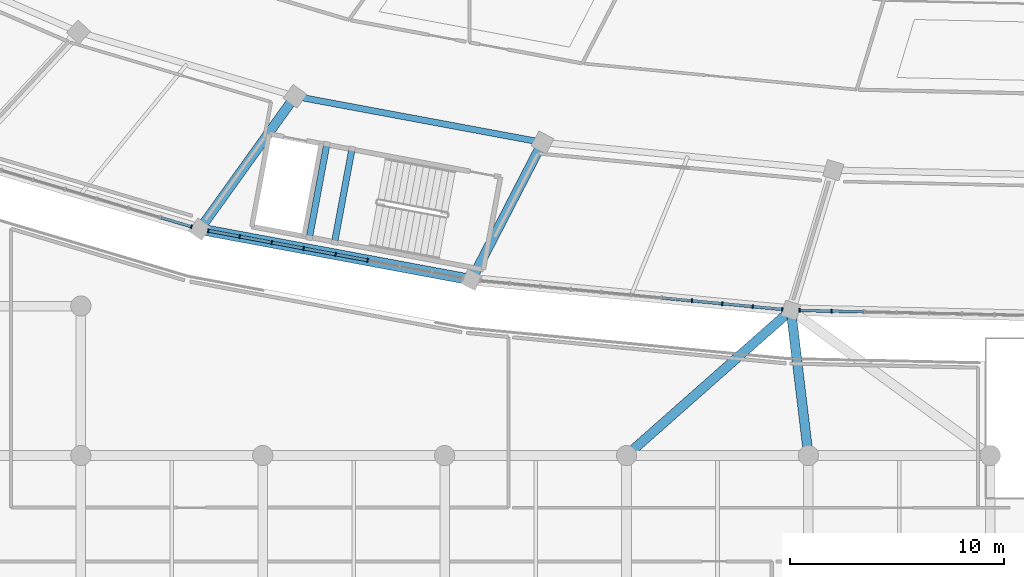
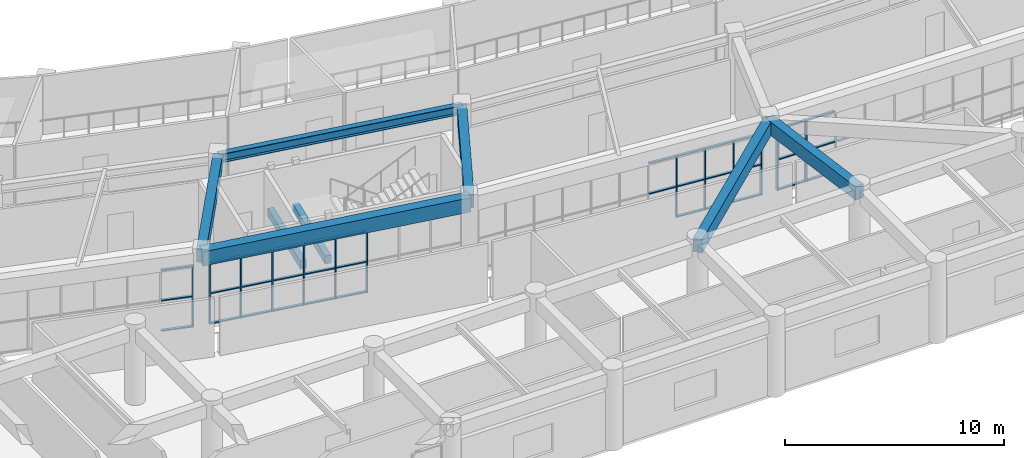
# One storey, part 22 of 141: 48 members, 8 beams, 4 elements without a shape of their own.
"""IFC4 building model written with IfcOpenShell, lengths in metres."""

from ifc_helpers import new_model, si_unit, direction, frame, origin, origin_2d, place, context, subcontext, project, spatial, rectangle, i_section, extrude, material, layer, layer_set, material_profile, profile_set, type_object, element, aggregate, save


model = new_model("IFC4")

# Units and contexts
model_context = context("Model", 3, precision=1e-05, world=origin(), true_north=direction((0.0, 1.0)))
body_context = subcontext(model_context, "Body", "Model", "MODEL_VIEW")
ifc_project = project(units=[si_unit("LENGTHUNIT", "METRE"), si_unit("AREAUNIT", "SQUARE_METRE"), si_unit("VOLUMEUNIT", "CUBIC_METRE"), si_unit("PLANEANGLEUNIT", "RADIAN"), si_unit("MASSUNIT", "GRAM", prefix="KILO")], contexts=[model_context])

# Site, building, storey
site_placement = place(None, origin())
site = spatial("IfcSite", under=ifc_project, at=site_placement, CompositionType="ELEMENT")
building_placement = place(site_placement, origin())
building = spatial("IfcBuilding", under=site, at=building_placement, Name="Mphavela Belvedere Stadium", CompositionType="ELEMENT")
storey_placement = place(building_placement, frame((0.0, 0.0, 14.699951171875)))
storey = spatial("IfcBuildingStorey", under=building, at=storey_placement, Name="L03", CompositionType="ELEMENT", Elevation=14.699951171875)

# Beams
ifc_material_1 = material(Name="Concrete C40/50", Category="concrete")
ifc_material_profile_1 = material_profile(ifc_material_1, rectangle(XDim=0.300048828125, YDim=0.449951171875, at=origin_2d()), Name="RC 300x450")
ifc_profile_set_1 = profile_set([ifc_material_profile_1], Name="Concrete C40/50")
beam_type_1 = type_object("IfcBeamType", Name="BM-RC300x450", PredefinedType="BEAM", material=ifc_profile_set_1)
for number, where, z_axis, x_axis, name in (
    (1, (72.329833984375, 21.36865234375, 1.824951171875), (-0.18307487535, -0.983098972645, 0.0), (0.983098972645, -0.18307487535, 0.0), "Core C11 landing trimmer beam L03-1"),
    (2, (71.150146484375, 21.58837890625, 1.824951171875), (-0.18307487535, -0.983098972645, 0.0), (0.983098972645, -0.18307487535, 0.0), "Core C11 landing trimmer beam L03-2"),
):
    element("IfcBeam", number, at=place(storey_placement, frame(where, z_axis=z_axis, x_axis=x_axis)), inside=storey, type_object=beam_type_1, Name=name, PredefinedType="BEAM", context=body_context, shape_type="SweptSolid", body=[
        extrude(rectangle(XDim=0.300048828125, YDim=0.449951171875, at=origin_2d()), origin(), (0.0, 0.0, 1.0), 4.469970703125),
    ])
ifc_material_2 = material(Name="Concrete C40/50", Category="concrete")
ifc_material_profile_2 = material_profile(ifc_material_2, rectangle(XDim=0.449951171875, YDim=0.75, at=origin_2d()), Name="RC 450x750")
ifc_profile_set_2 = profile_set([ifc_material_profile_2], Name="Concrete C40/50")
beam_type_2 = type_object("IfcBeamType", Name="BM-RC450x750", PredefinedType="BEAM", material=ifc_profile_set_2)
beam_1_placement = place(storey_placement, frame((69.662109375, 23.822509765625, 3.875), z_axis=(-0.583043812448, -0.812440713385, 0.0), x_axis=(0.812440713385, -0.583043812448, 0.0)))
element("IfcBeam", 3, at=beam_1_placement, inside=storey, type_object=beam_type_2, Name="Radial concourse girder L03 R3R4-34", PredefinedType="BEAM", context=body_context, shape_type="SweptSolid", body=[
    extrude(rectangle(XDim=0.449951171875, YDim=0.75, at=origin_2d()), origin(), (0.0, 0.0, 1.0), 7.6552734375),
])
beam_2_placement = place(storey_placement, frame((81.249755859375, 21.66455078125, 3.875), z_axis=(-0.458951286165, -0.888461432436, 0.0), x_axis=(0.888461432436, -0.458951286165, 0.0)))
element("IfcBeam", 4, at=beam_2_placement, inside=storey, type_object=beam_type_2, Name="Radial concourse girder L03 R3R4-35", PredefinedType="BEAM", context=body_context, shape_type="SweptSolid", body=[
    extrude(rectangle(XDim=0.449951171875, YDim=0.75, at=origin_2d()), origin(), (0.0, 0.0, 1.0), 7.2392578125),
])
beam_3_placement = place(storey_placement, frame((93.7041015625, 7.0, 3.864990234375), z_axis=(-0.119413444072, 0.99284461492, 0.0), x_axis=(-0.99284461492, -0.119413444072, 0.0)))
element("IfcBeam", 5, at=beam_3_placement, inside=storey, type_object=beam_type_2, Name="South Axial Triumphal Peristyle Portico bowl link girder L03-3", PredefinedType="BEAM", context=body_context, shape_type="SweptSolid", body=[
    extrude(rectangle(XDim=0.449951171875, YDim=0.75, at=origin_2d()), origin(), (0.0, 0.0, 1.0), 6.855224609375),
])
beam_4_placement = place(storey_placement, frame((85.18505859375, 7.0, 3.864990234375), z_axis=(0.749275353375, 0.662258593621, 0.0), x_axis=(-0.662258593621, 0.749275353375, 0.0)))
element("IfcBeam", 6, at=beam_4_placement, inside=storey, type_object=beam_type_2, Name="South Axial Triumphal Peristyle Portico bowl link girder L03-5", PredefinedType="BEAM", context=body_context, shape_type="SweptSolid", body=[
    extrude(rectangle(XDim=0.449951171875, YDim=0.75, at=origin_2d()), origin(), (0.0, 0.0, 1.0), 10.277099609375),
])
ifc_material_3 = material(Name="Concrete C40/50", Category="concrete")
ifc_material_profile_3 = material_profile(ifc_material_3, rectangle(XDim=0.5, YDim=0.800048828125, at=origin_2d()), Name="RC 500x800")
ifc_profile_set_3 = profile_set([ifc_material_profile_3], Name="Concrete C40/50")
beam_type_3 = type_object("IfcBeamType", Name="BM-SPANDREL-800", PredefinedType="SPANDREL", material=ifc_profile_set_3)
beam_5_placement = place(storey_placement, frame((65.19873046875, 17.60302734375, 3.85009765625), z_axis=(0.983098571421, -0.183077029882, 0.0), x_axis=(0.183077029882, 0.983098571421, 0.0)))
element("IfcBeam", 7, at=beam_5_placement, inside=storey, type_object=beam_type_3, Name="Circumferential girder L03 R4-34", PredefinedType="SPANDREL", context=body_context, shape_type="SweptSolid", body=[
    extrude(rectangle(XDim=0.5, YDim=0.800048828125, at=origin_2d()), origin(), (0.0, 0.0, 1.0), 12.947265625),
])
ifc_material_4 = material(Name="Steel S355", Category="steel")
ifc_material_profile_4 = material_profile(ifc_material_4, i_section(OverallWidth=0.300048828125, OverallDepth=0.489990234375, WebThickness=0.011962890625, FlangeThickness=0.02294921875, at=origin_2d()), Name="HEA 500")
ifc_profile_set_4 = profile_set([ifc_material_profile_4], Name="Steel S355")
beam_type_4 = type_object("IfcBeamType", Name="BM-STEEL-HEA500", PredefinedType="BEAM", material=ifc_profile_set_4)
beam_6_placement = place(storey_placement, frame((69.662109375, 23.822509765625, 4.005126953125), z_axis=(0.983097725009, -0.18308157494, 0.0), x_axis=(0.18308157494, 0.983097725009, 0.0)))
element("IfcBeam", 8, at=beam_6_placement, inside=storey, type_object=beam_type_4, Name="Circumferential girder L03 R3-34", PredefinedType="BEAM", context=body_context, shape_type="SweptSolid", body=[
    extrude(i_section(OverallWidth=0.300048828125, OverallDepth=0.489990234375, WebThickness=0.011962890625, FlangeThickness=0.02294921875, at=origin_2d()), origin(), (0.0, 0.0, 1.0), 11.786865234375),
])

# Curtain wall, member
ifc_material_5 = material(Name="Anodised bronze unitised curtain wall framing")
ifc_layer_1 = layer(ifc_material_5, 0.18994140625)
ifc_layer_set_1 = layer_set([ifc_layer_1], Name="Anodised bronze unitised curtain wall framing")
curtain_wall_type_1 = type_object("IfcCurtainWallType", Name="CW-UNIT-03", PredefinedType="USERDEFINED", material=ifc_layer_set_1)
curtain_wall_1_placement = place(storey_placement, origin())
curtain_wall_1 = element("IfcCurtainWall", 9, at=curtain_wall_1_placement, inside=storey, type_object=curtain_wall_type_1, Name="Belvedere colonnade curtain wall L03-33", ObjectType="UNITISED CURTAIN WALL", PredefinedType="USERDEFINED")
ifc_material_6 = material(Name="Anodised bronze extruded aluminium", Category="aluminium")
ifc_material_profile_5 = material_profile(ifc_material_6, rectangle(XDim=0.179931640625, YDim=0.06494140625, at=origin_2d()), Name="CW-MUL 180x65")
ifc_profile_set_5 = profile_set([ifc_material_profile_5], Name="Anodised bronze extruded aluminium")
member_type_1 = type_object("IfcMemberType", Name="CWM-180x65", PredefinedType="MULLION", material=ifc_profile_set_5)
member_1_placement = place(storey_placement, frame((64.81005859375, 17.718505859375, 0.0), z_axis=(0.0, 0.0, 1.0), x_axis=(0.284565000591, 0.958656747975, 0.0)))
member_1 = element("IfcMember", 10, at=member_1_placement, type_object=member_type_1, Name="CW-03 mullion 8", PredefinedType="MULLION", context=body_context, shape_type="SweptSolid", body=[
    extrude(rectangle(XDim=0.179931640625, YDim=0.06494140625, at=origin_2d()), origin(), (0.0, 0.0, 1.0), 3.420166015625),
])

# Curtain wall, members
ifc_material_7 = material(Name="Anodised bronze unitised curtain wall framing")
ifc_layer_2 = layer(ifc_material_7, 0.195068359375)
ifc_layer_set_2 = layer_set([ifc_layer_2], Name="Anodised bronze unitised curtain wall framing")
curtain_wall_type_2 = type_object("IfcCurtainWallType", Name="CW-UNIT-04", PredefinedType="USERDEFINED", material=ifc_layer_set_2)
curtain_wall_2_placement = place(storey_placement, origin())
curtain_wall_2 = element("IfcCurtainWall", 11, at=curtain_wall_2_placement, inside=storey, type_object=curtain_wall_type_2, Name="Belvedere colonnade curtain wall L03-34", ObjectType="UNITISED CURTAIN WALL", PredefinedType="USERDEFINED")
member_2_placement = place(storey_placement, frame((65.597412109375, 17.52880859375, 0.0), z_axis=(0.0, 0.0, 1.0), x_axis=(0.18308790129, 0.983096546836, 0.0)))
member_2 = element("IfcMember", 12, at=member_2_placement, type_object=member_type_1, Name="CW-04 mullion 1", PredefinedType="MULLION", context=body_context, shape_type="SweptSolid", body=[
    extrude(rectangle(XDim=0.179931640625, YDim=0.06494140625, at=origin_2d()), origin(), (0.0, 0.0, 1.0), 3.420166015625),
])
member_3_placement = place(storey_placement, frame((67.06494140625, 17.255615234375, 0.0), z_axis=(0.0, 0.0, 1.0), x_axis=(0.18308790129, 0.983096546836, 0.0)))
member_3 = element("IfcMember", 13, at=member_3_placement, type_object=member_type_1, Name="CW-04 mullion 2", PredefinedType="MULLION", context=body_context, shape_type="SweptSolid", body=[
    extrude(rectangle(XDim=0.179931640625, YDim=0.06494140625, at=origin_2d()), origin(), (0.0, 0.0, 1.0), 3.420166015625),
])
member_4_placement = place(storey_placement, frame((68.564208984375, 16.976318359375, 0.0), z_axis=(0.0, 0.0, 1.0), x_axis=(0.18308790129, 0.983096546836, 0.0)))
member_4 = element("IfcMember", 14, at=member_4_placement, type_object=member_type_1, Name="CW-04 mullion 3", PredefinedType="MULLION", context=body_context, shape_type="SweptSolid", body=[
    extrude(rectangle(XDim=0.179931640625, YDim=0.06494140625, at=origin_2d()), origin(), (0.0, 0.0, 1.0), 3.420166015625),
])
member_5_placement = place(storey_placement, frame((70.063720703125, 16.697021484375, 0.0), z_axis=(0.0, 0.0, 1.0), x_axis=(0.18308790129, 0.983096546836, 0.0)))
member_5 = element("IfcMember", 15, at=member_5_placement, type_object=member_type_1, Name="CW-04 mullion 4", PredefinedType="MULLION", context=body_context, shape_type="SweptSolid", body=[
    extrude(rectangle(XDim=0.179931640625, YDim=0.06494140625, at=origin_2d()), origin(), (0.0, 0.0, 1.0), 3.420166015625),
])
member_6_placement = place(storey_placement, frame((71.56298828125, 16.41796875, 0.0), z_axis=(0.0, 0.0, 1.0), x_axis=(0.18308790129, 0.983096546836, 0.0)))
member_6 = element("IfcMember", 16, at=member_6_placement, type_object=member_type_1, Name="CW-04 mullion 5", PredefinedType="MULLION", context=body_context, shape_type="SweptSolid", body=[
    extrude(rectangle(XDim=0.179931640625, YDim=0.06494140625, at=origin_2d()), origin(), (0.0, 0.0, 1.0), 3.420166015625),
])
member_7_placement = place(storey_placement, frame((73.062255859375, 16.138671875, 0.0), z_axis=(0.0, 0.0, 1.0), x_axis=(0.18308790129, 0.983096546836, 0.0)))
member_7 = element("IfcMember", 17, at=member_7_placement, type_object=member_type_1, Name="CW-04 mullion 6", PredefinedType="MULLION", context=body_context, shape_type="SweptSolid", body=[
    extrude(rectangle(XDim=0.179931640625, YDim=0.06494140625, at=origin_2d()), origin(), (0.0, 0.0, 1.0), 3.420166015625),
])

ifc_material_8 = material(Name="Anodised bronze unitised curtain wall framing")
ifc_layer_3 = layer(ifc_material_8, 0.199951171875)
ifc_layer_set_3 = layer_set([ifc_layer_3], Name="Anodised bronze unitised curtain wall framing")
curtain_wall_type_3 = type_object("IfcCurtainWallType", Name="CW-UNIT-05", PredefinedType="USERDEFINED", material=ifc_layer_set_3)
curtain_wall_3_placement = place(storey_placement, origin())
curtain_wall_3 = element("IfcCurtainWall", 18, at=curtain_wall_3_placement, inside=storey, type_object=curtain_wall_type_3, Name="Belvedere colonnade curtain wall L03-35", ObjectType="UNITISED CURTAIN WALL", PredefinedType="USERDEFINED")
member_8_placement = place(storey_placement, frame((88.24951171875, 14.248291015625, 0.0), z_axis=(0.0, 0.0, 1.0), x_axis=(0.094929381996, 0.99548400913, 0.0)))
member_8 = element("IfcMember", 19, at=member_8_placement, type_object=member_type_1, Name="CW-05 mullion 8", PredefinedType="MULLION", context=body_context, shape_type="SweptSolid", body=[
    extrude(rectangle(XDim=0.179931640625, YDim=0.06494140625, at=origin_2d()), origin(), (0.0, 0.0, 1.0), 3.420166015625),
])
member_9_placement = place(storey_placement, frame((89.6708984375, 14.11279296875, 0.0), z_axis=(0.0, 0.0, 1.0), x_axis=(0.094929381996, 0.99548400913, 0.0)))
member_9 = element("IfcMember", 20, at=member_9_placement, type_object=member_type_1, Name="CW-05 mullion 9", PredefinedType="MULLION", context=body_context, shape_type="SweptSolid", body=[
    extrude(rectangle(XDim=0.179931640625, YDim=0.06494140625, at=origin_2d()), origin(), (0.0, 0.0, 1.0), 3.420166015625),
])
member_10_placement = place(storey_placement, frame((91.092529296875, 13.97705078125, 0.0), z_axis=(0.0, 0.0, 1.0), x_axis=(0.094929381996, 0.99548400913, 0.0)))
member_10 = element("IfcMember", 21, at=member_10_placement, type_object=member_type_1, Name="CW-05 mullion 10", PredefinedType="MULLION", context=body_context, shape_type="SweptSolid", body=[
    extrude(rectangle(XDim=0.179931640625, YDim=0.06494140625, at=origin_2d()), origin(), (0.0, 0.0, 1.0), 3.420166015625),
])
member_11_placement = place(storey_placement, frame((92.481689453125, 13.8447265625, 0.0), z_axis=(0.0, 0.0, 1.0), x_axis=(0.094929381996, 0.99548400913, 0.0)))
member_11 = element("IfcMember", 22, at=member_11_placement, type_object=member_type_1, Name="CW-05 mullion 11", PredefinedType="MULLION", context=body_context, shape_type="SweptSolid", body=[
    extrude(rectangle(XDim=0.179931640625, YDim=0.06494140625, at=origin_2d()), origin(), (0.0, 0.0, 1.0), 3.420166015625),
])

ifc_material_9 = material(Name="Anodised bronze unitised curtain wall framing")
ifc_layer_4 = layer(ifc_material_9, 0.205078125)
ifc_layer_set_4 = layer_set([ifc_layer_4], Name="Anodised bronze unitised curtain wall framing")
curtain_wall_type_4 = type_object("IfcCurtainWallType", Name="CW-UNIT-06", PredefinedType="USERDEFINED", material=ifc_layer_set_4)
curtain_wall_4_placement = place(storey_placement, origin())
curtain_wall_4 = element("IfcCurtainWall", 23, at=curtain_wall_4_placement, inside=storey, type_object=curtain_wall_type_4, Name="Belvedere colonnade curtain wall L03-36", ObjectType="UNITISED CURTAIN WALL", PredefinedType="USERDEFINED")
member_12_placement = place(storey_placement, frame((93.290771484375, 13.797607421875, 0.0), z_axis=(0.0, 0.0, 1.0), x_axis=(0.02153107878, 0.999768179453, 0.0)))
member_12 = element("IfcMember", 24, at=member_12_placement, type_object=member_type_1, Name="CW-06 mullion 1", PredefinedType="MULLION", context=body_context, shape_type="SweptSolid", body=[
    extrude(rectangle(XDim=0.179931640625, YDim=0.06494140625, at=origin_2d()), origin(), (0.0, 0.0, 1.0), 3.420166015625),
])
member_13_placement = place(storey_placement, frame((94.78466796875, 13.765380859375, 0.0), z_axis=(0.0, 0.0, 1.0), x_axis=(0.02153107878, 0.999768179453, 0.0)))
member_13 = element("IfcMember", 25, at=member_13_placement, type_object=member_type_1, Name="CW-06 mullion 2", PredefinedType="MULLION", context=body_context, shape_type="SweptSolid", body=[
    extrude(rectangle(XDim=0.179931640625, YDim=0.06494140625, at=origin_2d()), origin(), (0.0, 0.0, 1.0), 3.420166015625),
])

# Member
ifc_material_10 = material(Name="Anodised bronze extruded aluminium", Category="aluminium")
ifc_material_profile_6 = material_profile(ifc_material_10, rectangle(XDim=0.139892578125, YDim=0.06005859375, at=origin_2d()), Name="CW-TRN 140x60")
ifc_profile_set_6 = profile_set([ifc_material_profile_6], Name="Anodised bronze extruded aluminium")
member_type_2 = type_object("IfcMemberType", Name="CWT-140x60", PredefinedType="USERDEFINED", material=ifc_profile_set_6)
member_14_placement = place(storey_placement, frame((63.383544921875, 18.141845703125, 0.030029296875), z_axis=(0.958676180284, -0.284499527867, 0.0), x_axis=(0.284499527867, 0.958676180284, 0.0)))
member_14 = element("IfcMember", 26, at=member_14_placement, type_object=member_type_2, Name="CW-03 transom 7.1", ObjectType="TRANSOM", PredefinedType="USERDEFINED", context=body_context, shape_type="SweptSolid", body=[
    extrude(rectangle(XDim=0.139892578125, YDim=0.06005859375, at=origin_2d()), origin(), (0.0, 0.0, 1.0), 1.455322265625),
])

member_15_placement = place(storey_placement, frame((63.383544921875, 18.141845703125, 1.7099609375), z_axis=(0.958676180284, -0.284499527867, 0.0), x_axis=(0.284499527867, 0.958676180284, 0.0)))
member_15 = element("IfcMember", 27, at=member_15_placement, type_object=member_type_2, Name="CW-03 transom 7.2", ObjectType="TRANSOM", PredefinedType="USERDEFINED", context=body_context, shape_type="SweptSolid", body=[
    extrude(rectangle(XDim=0.139892578125, YDim=0.06005859375, at=origin_2d()), origin(), (0.0, 0.0, 1.0), 1.455322265625),
])

member_16_placement = place(storey_placement, frame((63.383544921875, 18.141845703125, 3.39013671875), z_axis=(0.958676180284, -0.284499527867, 0.0), x_axis=(0.284499527867, 0.958676180284, 0.0)))
member_16 = element("IfcMember", 28, at=member_16_placement, type_object=member_type_2, Name="CW-03 transom 7.3", ObjectType="TRANSOM", PredefinedType="USERDEFINED", context=body_context, shape_type="SweptSolid", body=[
    extrude(rectangle(XDim=0.139892578125, YDim=0.06005859375, at=origin_2d()), origin(), (0.0, 0.0, 1.0), 1.455322265625),
])

aggregate(curtain_wall_1, [member_1, member_14, member_15, member_16])

member_17_placement = place(storey_placement, frame((65.62939453125, 17.52294921875, 0.030029296875), z_axis=(0.983086399659, -0.183142378507, 0.0), x_axis=(0.183142378507, 0.983086399659, 0.0)))
member_17 = element("IfcMember", 29, at=member_17_placement, type_object=member_type_2, Name="CW-04 transom 1.1", ObjectType="TRANSOM", PredefinedType="USERDEFINED", context=body_context, shape_type="SweptSolid", body=[
    extrude(rectangle(XDim=0.139892578125, YDim=0.06005859375, at=origin_2d()), origin(), (0.0, 0.0, 1.0), 1.427734375),
])

member_18_placement = place(storey_placement, frame((65.62939453125, 17.52294921875, 1.7099609375), z_axis=(0.983086399659, -0.183142378507, 0.0), x_axis=(0.183142378507, 0.983086399659, 0.0)))
member_18 = element("IfcMember", 30, at=member_18_placement, type_object=member_type_2, Name="CW-04 transom 1.2", ObjectType="TRANSOM", PredefinedType="USERDEFINED", context=body_context, shape_type="SweptSolid", body=[
    extrude(rectangle(XDim=0.139892578125, YDim=0.06005859375, at=origin_2d()), origin(), (0.0, 0.0, 1.0), 1.427734375),
])

member_19_placement = place(storey_placement, frame((65.62939453125, 17.52294921875, 3.39013671875), z_axis=(0.983086399659, -0.183142378507, 0.0), x_axis=(0.183142378507, 0.983086399659, 0.0)))
member_19 = element("IfcMember", 31, at=member_19_placement, type_object=member_type_2, Name="CW-04 transom 1.3", ObjectType="TRANSOM", PredefinedType="USERDEFINED", context=body_context, shape_type="SweptSolid", body=[
    extrude(rectangle(XDim=0.139892578125, YDim=0.06005859375, at=origin_2d()), origin(), (0.0, 0.0, 1.0), 1.427734375),
])

member_20_placement = place(storey_placement, frame((67.096923828125, 17.24951171875, 0.030029296875), z_axis=(0.983092966177, -0.183107126716, 0.0), x_axis=(0.183107126716, 0.983092966177, 0.0)))
member_20 = element("IfcMember", 32, at=member_20_placement, type_object=member_type_2, Name="CW-04 transom 2.1", ObjectType="TRANSOM", PredefinedType="USERDEFINED", context=body_context, shape_type="SweptSolid", body=[
    extrude(rectangle(XDim=0.139892578125, YDim=0.06005859375, at=origin_2d()), origin(), (0.0, 0.0, 1.0), 1.4599609375),
])

member_21_placement = place(storey_placement, frame((67.096923828125, 17.24951171875, 1.7099609375), z_axis=(0.983092966177, -0.183107126716, 0.0), x_axis=(0.183107126716, 0.983092966177, 0.0)))
member_21 = element("IfcMember", 33, at=member_21_placement, type_object=member_type_2, Name="CW-04 transom 2.2", ObjectType="TRANSOM", PredefinedType="USERDEFINED", context=body_context, shape_type="SweptSolid", body=[
    extrude(rectangle(XDim=0.139892578125, YDim=0.06005859375, at=origin_2d()), origin(), (0.0, 0.0, 1.0), 1.4599609375),
])

member_22_placement = place(storey_placement, frame((67.096923828125, 17.24951171875, 3.39013671875), z_axis=(0.983092966177, -0.183107126716, 0.0), x_axis=(0.183107126716, 0.983092966177, 0.0)))
member_22 = element("IfcMember", 34, at=member_22_placement, type_object=member_type_2, Name="CW-04 transom 2.3", ObjectType="TRANSOM", PredefinedType="USERDEFINED", context=body_context, shape_type="SweptSolid", body=[
    extrude(rectangle(XDim=0.139892578125, YDim=0.06005859375, at=origin_2d()), origin(), (0.0, 0.0, 1.0), 1.4599609375),
])

member_23_placement = place(storey_placement, frame((68.59619140625, 16.970458984375, 0.030029296875), z_axis=(0.983098571421, -0.183077029882, 0.0), x_axis=(0.183077029882, 0.983098571421, 0.0)))
member_23 = element("IfcMember", 35, at=member_23_placement, type_object=member_type_2, Name="CW-04 transom 3.1", ObjectType="TRANSOM", PredefinedType="USERDEFINED", context=body_context, shape_type="SweptSolid", body=[
    extrude(rectangle(XDim=0.139892578125, YDim=0.06005859375, at=origin_2d()), origin(), (0.0, 0.0, 1.0), 1.460205078125),
])

member_24_placement = place(storey_placement, frame((68.59619140625, 16.970458984375, 1.7099609375), z_axis=(0.983098571421, -0.183077029882, 0.0), x_axis=(0.183077029882, 0.983098571421, 0.0)))
member_24 = element("IfcMember", 36, at=member_24_placement, type_object=member_type_2, Name="CW-04 transom 3.2", ObjectType="TRANSOM", PredefinedType="USERDEFINED", context=body_context, shape_type="SweptSolid", body=[
    extrude(rectangle(XDim=0.139892578125, YDim=0.06005859375, at=origin_2d()), origin(), (0.0, 0.0, 1.0), 1.460205078125),
])

member_25_placement = place(storey_placement, frame((68.59619140625, 16.970458984375, 3.39013671875), z_axis=(0.983098571421, -0.183077029882, 0.0), x_axis=(0.183077029882, 0.983098571421, 0.0)))
member_25 = element("IfcMember", 37, at=member_25_placement, type_object=member_type_2, Name="CW-04 transom 3.3", ObjectType="TRANSOM", PredefinedType="USERDEFINED", context=body_context, shape_type="SweptSolid", body=[
    extrude(rectangle(XDim=0.139892578125, YDim=0.06005859375, at=origin_2d()), origin(), (0.0, 0.0, 1.0), 1.460205078125),
])

member_26_placement = place(storey_placement, frame((70.095458984375, 16.691162109375, 0.030029296875), z_axis=(0.983098571421, -0.183077029882, 0.0), x_axis=(0.183077029882, 0.983098571421, 0.0)))
member_26 = element("IfcMember", 38, at=member_26_placement, type_object=member_type_2, Name="CW-04 transom 4.1", ObjectType="TRANSOM", PredefinedType="USERDEFINED", context=body_context, shape_type="SweptSolid", body=[
    extrude(rectangle(XDim=0.139892578125, YDim=0.06005859375, at=origin_2d()), origin(), (0.0, 0.0, 1.0), 1.460205078125),
])

member_27_placement = place(storey_placement, frame((70.095458984375, 16.691162109375, 1.7099609375), z_axis=(0.983098571421, -0.183077029882, 0.0), x_axis=(0.183077029882, 0.983098571421, 0.0)))
member_27 = element("IfcMember", 39, at=member_27_placement, type_object=member_type_2, Name="CW-04 transom 4.2", ObjectType="TRANSOM", PredefinedType="USERDEFINED", context=body_context, shape_type="SweptSolid", body=[
    extrude(rectangle(XDim=0.139892578125, YDim=0.06005859375, at=origin_2d()), origin(), (0.0, 0.0, 1.0), 1.460205078125),
])

member_28_placement = place(storey_placement, frame((70.095458984375, 16.691162109375, 3.39013671875), z_axis=(0.983098571421, -0.183077029882, 0.0), x_axis=(0.183077029882, 0.983098571421, 0.0)))
member_28 = element("IfcMember", 40, at=member_28_placement, type_object=member_type_2, Name="CW-04 transom 4.3", ObjectType="TRANSOM", PredefinedType="USERDEFINED", context=body_context, shape_type="SweptSolid", body=[
    extrude(rectangle(XDim=0.139892578125, YDim=0.06005859375, at=origin_2d()), origin(), (0.0, 0.0, 1.0), 1.460205078125),
])

member_29_placement = place(storey_placement, frame((71.594970703125, 16.411865234375, 0.030029296875), z_axis=(0.983098571421, -0.183077029882, 0.0), x_axis=(0.183077029882, 0.983098571421, 0.0)))
member_29 = element("IfcMember", 41, at=member_29_placement, type_object=member_type_2, Name="CW-04 transom 5.1", ObjectType="TRANSOM", PredefinedType="USERDEFINED", context=body_context, shape_type="SweptSolid", body=[
    extrude(rectangle(XDim=0.139892578125, YDim=0.06005859375, at=origin_2d()), origin(), (0.0, 0.0, 1.0), 1.460205078125),
])

member_30_placement = place(storey_placement, frame((71.594970703125, 16.411865234375, 1.7099609375), z_axis=(0.983098571421, -0.183077029882, 0.0), x_axis=(0.183077029882, 0.983098571421, 0.0)))
member_30 = element("IfcMember", 42, at=member_30_placement, type_object=member_type_2, Name="CW-04 transom 5.2", ObjectType="TRANSOM", PredefinedType="USERDEFINED", context=body_context, shape_type="SweptSolid", body=[
    extrude(rectangle(XDim=0.139892578125, YDim=0.06005859375, at=origin_2d()), origin(), (0.0, 0.0, 1.0), 1.460205078125),
])

member_31_placement = place(storey_placement, frame((71.594970703125, 16.411865234375, 3.39013671875), z_axis=(0.983098571421, -0.183077029882, 0.0), x_axis=(0.183077029882, 0.983098571421, 0.0)))
member_31 = element("IfcMember", 43, at=member_31_placement, type_object=member_type_2, Name="CW-04 transom 5.3", ObjectType="TRANSOM", PredefinedType="USERDEFINED", context=body_context, shape_type="SweptSolid", body=[
    extrude(rectangle(XDim=0.139892578125, YDim=0.06005859375, at=origin_2d()), origin(), (0.0, 0.0, 1.0), 1.460205078125),
])

aggregate(curtain_wall_2, [member_2, member_3, member_4, member_5, member_6, member_7, member_17, member_18, member_19, member_20, member_21, member_22, member_23, member_24, member_25, member_26, member_27, member_28, member_29, member_30, member_31])

member_32_placement = place(storey_placement, frame((86.860107421875, 14.380859375, 1.7099609375), z_axis=(0.995484195822, -0.094927424215, 0.0), x_axis=(0.094927424215, 0.995484195822, 0.0)))
member_32 = element("IfcMember", 44, at=member_32_placement, type_object=member_type_2, Name="CW-05 transom 7.2", ObjectType="TRANSOM", PredefinedType="USERDEFINED", context=body_context, shape_type="SweptSolid", body=[
    extrude(rectangle(XDim=0.139892578125, YDim=0.06005859375, at=origin_2d()), origin(), (0.0, 0.0, 1.0), 1.363037109375),
])

member_33_placement = place(storey_placement, frame((86.860107421875, 14.380859375, 3.39013671875), z_axis=(0.995484195822, -0.094927424215, 0.0), x_axis=(0.094927424215, 0.995484195822, 0.0)))
member_33 = element("IfcMember", 45, at=member_33_placement, type_object=member_type_2, Name="CW-05 transom 7.3", ObjectType="TRANSOM", PredefinedType="USERDEFINED", context=body_context, shape_type="SweptSolid", body=[
    extrude(rectangle(XDim=0.139892578125, YDim=0.06005859375, at=origin_2d()), origin(), (0.0, 0.0, 1.0), 1.363037109375),
])

member_34_placement = place(storey_placement, frame((88.28173828125, 14.2451171875, 0.030029296875), z_axis=(0.995484195822, -0.094927424215, 0.0), x_axis=(0.094927424215, 0.995484195822, 0.0)))
member_34 = element("IfcMember", 46, at=member_34_placement, type_object=member_type_2, Name="CW-05 transom 8.1", ObjectType="TRANSOM", PredefinedType="USERDEFINED", context=body_context, shape_type="SweptSolid", body=[
    extrude(rectangle(XDim=0.139892578125, YDim=0.06005859375, at=origin_2d()), origin(), (0.0, 0.0, 1.0), 1.363037109375),
])

member_35_placement = place(storey_placement, frame((88.28173828125, 14.2451171875, 1.7099609375), z_axis=(0.995484195822, -0.094927424215, 0.0), x_axis=(0.094927424215, 0.995484195822, 0.0)))
member_35 = element("IfcMember", 47, at=member_35_placement, type_object=member_type_2, Name="CW-05 transom 8.2", ObjectType="TRANSOM", PredefinedType="USERDEFINED", context=body_context, shape_type="SweptSolid", body=[
    extrude(rectangle(XDim=0.139892578125, YDim=0.06005859375, at=origin_2d()), origin(), (0.0, 0.0, 1.0), 1.363037109375),
])

member_36_placement = place(storey_placement, frame((88.28173828125, 14.2451171875, 3.39013671875), z_axis=(0.995484195822, -0.094927424215, 0.0), x_axis=(0.094927424215, 0.995484195822, 0.0)))
member_36 = element("IfcMember", 48, at=member_36_placement, type_object=member_type_2, Name="CW-05 transom 8.3", ObjectType="TRANSOM", PredefinedType="USERDEFINED", context=body_context, shape_type="SweptSolid", body=[
    extrude(rectangle(XDim=0.139892578125, YDim=0.06005859375, at=origin_2d()), origin(), (0.0, 0.0, 1.0), 1.363037109375),
])

member_37_placement = place(storey_placement, frame((89.703369140625, 14.109619140625, 0.030029296875), z_axis=(0.995484195822, -0.094927424215, 0.0), x_axis=(0.094927424215, 0.995484195822, 0.0)))
member_37 = element("IfcMember", 49, at=member_37_placement, type_object=member_type_2, Name="CW-05 transom 9.1", ObjectType="TRANSOM", PredefinedType="USERDEFINED", context=body_context, shape_type="SweptSolid", body=[
    extrude(rectangle(XDim=0.139892578125, YDim=0.06005859375, at=origin_2d()), origin(), (0.0, 0.0, 1.0), 1.363037109375),
])

member_38_placement = place(storey_placement, frame((89.703369140625, 14.109619140625, 1.7099609375), z_axis=(0.995484195822, -0.094927424215, 0.0), x_axis=(0.094927424215, 0.995484195822, 0.0)))
member_38 = element("IfcMember", 50, at=member_38_placement, type_object=member_type_2, Name="CW-05 transom 9.2", ObjectType="TRANSOM", PredefinedType="USERDEFINED", context=body_context, shape_type="SweptSolid", body=[
    extrude(rectangle(XDim=0.139892578125, YDim=0.06005859375, at=origin_2d()), origin(), (0.0, 0.0, 1.0), 1.363037109375),
])

member_39_placement = place(storey_placement, frame((89.703369140625, 14.109619140625, 3.39013671875), z_axis=(0.995484195822, -0.094927424215, 0.0), x_axis=(0.094927424215, 0.995484195822, 0.0)))
member_39 = element("IfcMember", 51, at=member_39_placement, type_object=member_type_2, Name="CW-05 transom 9.3", ObjectType="TRANSOM", PredefinedType="USERDEFINED", context=body_context, shape_type="SweptSolid", body=[
    extrude(rectangle(XDim=0.139892578125, YDim=0.06005859375, at=origin_2d()), origin(), (0.0, 0.0, 1.0), 1.363037109375),
])

member_40_placement = place(storey_placement, frame((91.125, 13.97412109375, 0.030029296875), z_axis=(0.995472351283, -0.095051553542, 0.0), x_axis=(0.095051553542, 0.995472351283, 0.0)))
member_40 = element("IfcMember", 52, at=member_40_placement, type_object=member_type_2, Name="CW-05 transom 10.1", ObjectType="TRANSOM", PredefinedType="USERDEFINED", context=body_context, shape_type="SweptSolid", body=[
    extrude(rectangle(XDim=0.139892578125, YDim=0.06005859375, at=origin_2d()), origin(), (0.0, 0.0, 1.0), 1.33056640625),
])

member_41_placement = place(storey_placement, frame((91.125, 13.97412109375, 1.7099609375), z_axis=(0.995472351283, -0.095051553542, 0.0), x_axis=(0.095051553542, 0.995472351283, 0.0)))
member_41 = element("IfcMember", 53, at=member_41_placement, type_object=member_type_2, Name="CW-05 transom 10.2", ObjectType="TRANSOM", PredefinedType="USERDEFINED", context=body_context, shape_type="SweptSolid", body=[
    extrude(rectangle(XDim=0.139892578125, YDim=0.06005859375, at=origin_2d()), origin(), (0.0, 0.0, 1.0), 1.33056640625),
])

member_42_placement = place(storey_placement, frame((91.125, 13.97412109375, 3.39013671875), z_axis=(0.995472351283, -0.095051553542, 0.0), x_axis=(0.095051553542, 0.995472351283, 0.0)))
member_42 = element("IfcMember", 54, at=member_42_placement, type_object=member_type_2, Name="CW-05 transom 10.3", ObjectType="TRANSOM", PredefinedType="USERDEFINED", context=body_context, shape_type="SweptSolid", body=[
    extrude(rectangle(XDim=0.139892578125, YDim=0.06005859375, at=origin_2d()), origin(), (0.0, 0.0, 1.0), 1.33056640625),
])

aggregate(curtain_wall_3, [member_8, member_9, member_10, member_11, member_32, member_33, member_34, member_35, member_36, member_37, member_38, member_39, member_40, member_41, member_42])

member_43_placement = place(storey_placement, frame((93.3232421875, 13.796875, 0.030029296875), z_axis=(0.999768365561, -0.021522435343, 0.0), x_axis=(0.021522435343, 0.999768365561, 0.0)))
member_43 = element("IfcMember", 55, at=member_43_placement, type_object=member_type_2, Name="CW-06 transom 1.1", ObjectType="TRANSOM", PredefinedType="USERDEFINED", context=body_context, shape_type="SweptSolid", body=[
    extrude(rectangle(XDim=0.139892578125, YDim=0.06005859375, at=origin_2d()), origin(), (0.0, 0.0, 1.0), 1.42919921875),
])

member_44_placement = place(storey_placement, frame((93.3232421875, 13.796875, 1.7099609375), z_axis=(0.999768365561, -0.021522435343, 0.0), x_axis=(0.021522435343, 0.999768365561, 0.0)))
member_44 = element("IfcMember", 56, at=member_44_placement, type_object=member_type_2, Name="CW-06 transom 1.2", ObjectType="TRANSOM", PredefinedType="USERDEFINED", context=body_context, shape_type="SweptSolid", body=[
    extrude(rectangle(XDim=0.139892578125, YDim=0.06005859375, at=origin_2d()), origin(), (0.0, 0.0, 1.0), 1.42919921875),
])

member_45_placement = place(storey_placement, frame((93.3232421875, 13.796875, 3.39013671875), z_axis=(0.999768365561, -0.021522435343, 0.0), x_axis=(0.021522435343, 0.999768365561, 0.0)))
member_45 = element("IfcMember", 57, at=member_45_placement, type_object=member_type_2, Name="CW-06 transom 1.3", ObjectType="TRANSOM", PredefinedType="USERDEFINED", context=body_context, shape_type="SweptSolid", body=[
    extrude(rectangle(XDim=0.139892578125, YDim=0.06005859375, at=origin_2d()), origin(), (0.0, 0.0, 1.0), 1.42919921875),
])

member_46_placement = place(storey_placement, frame((94.817138671875, 13.7646484375, 0.030029296875), z_axis=(0.999767873479, -0.021545281604, 0.0), x_axis=(0.021545281604, 0.999767873479, 0.0)))
member_46 = element("IfcMember", 58, at=member_46_placement, type_object=member_type_2, Name="CW-06 transom 2.1", ObjectType="TRANSOM", PredefinedType="USERDEFINED", context=body_context, shape_type="SweptSolid", body=[
    extrude(rectangle(XDim=0.139892578125, YDim=0.06005859375, at=origin_2d()), origin(), (0.0, 0.0, 1.0), 1.461669921875),
])

member_47_placement = place(storey_placement, frame((94.817138671875, 13.7646484375, 1.7099609375), z_axis=(0.999767873479, -0.021545281604, 0.0), x_axis=(0.021545281604, 0.999767873479, 0.0)))
member_47 = element("IfcMember", 59, at=member_47_placement, type_object=member_type_2, Name="CW-06 transom 2.2", ObjectType="TRANSOM", PredefinedType="USERDEFINED", context=body_context, shape_type="SweptSolid", body=[
    extrude(rectangle(XDim=0.139892578125, YDim=0.06005859375, at=origin_2d()), origin(), (0.0, 0.0, 1.0), 1.461669921875),
])

member_48_placement = place(storey_placement, frame((94.817138671875, 13.7646484375, 3.39013671875), z_axis=(0.999767873479, -0.021545281604, 0.0), x_axis=(0.021545281604, 0.999767873479, 0.0)))
member_48 = element("IfcMember", 60, at=member_48_placement, type_object=member_type_2, Name="CW-06 transom 2.3", ObjectType="TRANSOM", PredefinedType="USERDEFINED", context=body_context, shape_type="SweptSolid", body=[
    extrude(rectangle(XDim=0.139892578125, YDim=0.06005859375, at=origin_2d()), origin(), (0.0, 0.0, 1.0), 1.461669921875),
])

aggregate(curtain_wall_4, [member_12, member_13, member_43, member_44, member_45, member_46, member_47, member_48])

save(model, "model.ifc")
